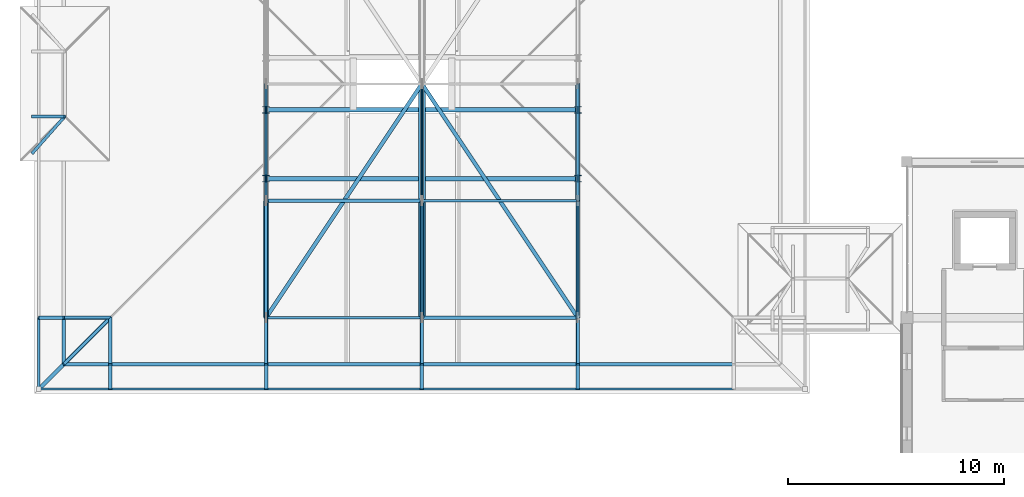
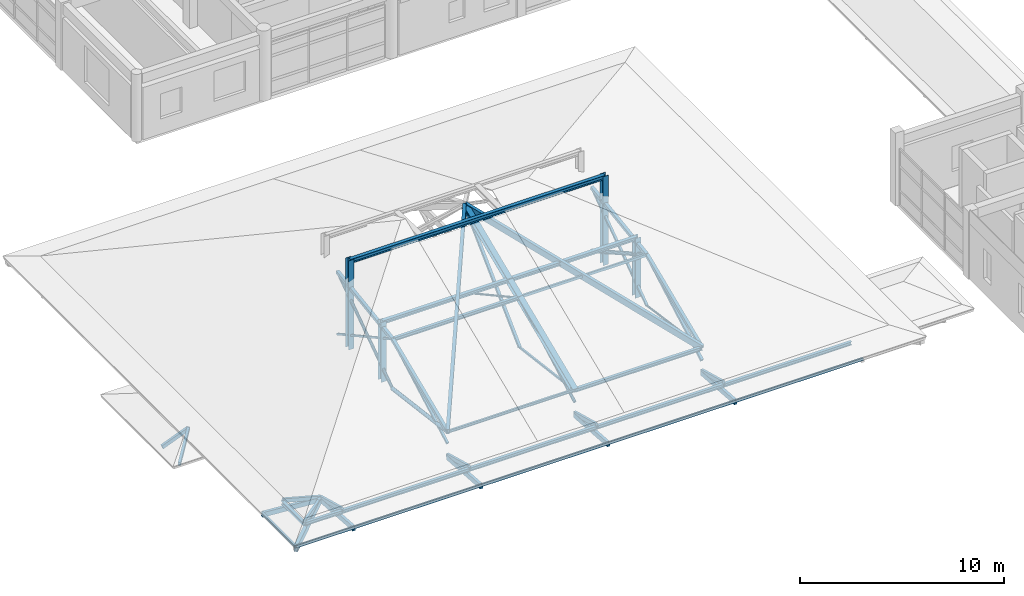
# One storey, part 5 of 110: 54 members, 2 beams.
"""IFC4 building model written with IfcOpenShell, lengths in metres."""

from ifc_helpers import new_model, si_unit, direction, frame, origin, origin_2d, place, context, subcontext, project, spatial, rectangle, hollow_rectangle, hollow_circle, i_section, extrude, material, material_profile, profile_set, type_object, element, save


model = new_model("IFC4")

# Units and contexts
model_context = context("Model", 3, precision=1e-05, world=origin(), true_north=direction((0.0, 1.0)))
body_context = subcontext(model_context, "Body", "Model", "MODEL_VIEW")
ifc_project = project(units=[si_unit("LENGTHUNIT", "METRE"), si_unit("AREAUNIT", "SQUARE_METRE"), si_unit("VOLUMEUNIT", "CUBIC_METRE"), si_unit("PLANEANGLEUNIT", "RADIAN"), si_unit("MASSUNIT", "GRAM", prefix="KILO")], contexts=[model_context])

# Site, building, storey
site_placement = place(None, origin())
site = spatial("IfcSite", under=ifc_project, at=site_placement, CompositionType="ELEMENT")
building_placement = place(site_placement, origin())
building = spatial("IfcBuilding", under=site, at=building_placement, Name="Steenspoor Specialist Clinic", CompositionType="ELEMENT")
storey_placement = place(building_placement, frame((0.0, 0.0, 4.800048828125)))
storey = spatial("IfcBuildingStorey", under=building, at=storey_placement, Name="L01", CompositionType="ELEMENT", Elevation=4.800048828125)

# Beams
ifc_material_1 = material(Name="Steel A992 Grade 50", Category="steel")
ifc_material_profile_1 = material_profile(ifc_material_1, i_section(OverallWidth=0.2041015625, OverallDepth=0.2060546875, WebThickness=0.0078125, FlangeThickness=0.0126953125, at=origin_2d()), Name="W200X52")
ifc_profile_set_1 = profile_set([ifc_material_profile_1], Name="Steel A992 Grade 50")
beam_type_1 = type_object("IfcBeamType", Name="BM-ST-W200X52", PredefinedType="JOIST", material=ifc_profile_set_1)
beam_1_placement = place(storey_placement, frame((15.60009765625, 41.075927734375, 3.683837890625), z_axis=(1.0, 0.0, 0.0), x_axis=(0.0, 1.0, 0.0)))
element("IfcBeam", 1, at=beam_1_placement, inside=storey, type_object=beam_type_1, Name="Roof Sub-Facet Bearer V3 M S", PredefinedType="JOIST", context=body_context, shape_type="SweptSolid", body=[
    extrude(i_section(OverallWidth=0.2041015625, OverallDepth=0.2060546875, WebThickness=0.0078125, FlangeThickness=0.0126953125, at=origin_2d()), origin(), (0.0, 0.0, 1.0), 14.39990234375),
])
ifc_material_profile_2 = material_profile(ifc_material_1, i_section(OverallWidth=0.202880859375, OverallDepth=0.251953125, WebThickness=0.008056640625, FlangeThickness=0.013427734375, at=origin_2d()), Name="W250X58")
ifc_profile_set_2 = profile_set([ifc_material_profile_2], Name="Steel A992 Grade 50")
beam_type_2 = type_object("IfcBeamType", Name="BM-ST-W250X58", PredefinedType="JOIST", material=ifc_profile_set_2)
beam_2_placement = place(storey_placement, frame((15.60009765625, 44.25, 5.4140625), z_axis=(1.0, 0.0, 0.0), x_axis=(0.0, 1.0, 0.0)))
element("IfcBeam", 2, at=beam_2_placement, inside=storey, type_object=beam_type_2, Name="Roof Curb Trimmer Beam V3 1", PredefinedType="JOIST", context=body_context, shape_type="SweptSolid", body=[
    extrude(i_section(OverallWidth=0.202880859375, OverallDepth=0.251953125, WebThickness=0.008056640625, FlangeThickness=0.013427734375, at=origin_2d()), origin(), (0.0, 0.0, 1.0), 14.39990234375),
])

# Members
ifc_material_2 = material(Name="Steel A500 Grade C", Category="steel")
ifc_material_profile_3 = material_profile(ifc_material_2, hollow_circle(Radius=0.084228515625, WallThickness=0.007080078125, at=origin_2d()), Name="CHS168X7.1")
ifc_profile_set_3 = profile_set([ifc_material_profile_3], Name="Steel A500 Grade C")
member_type_1 = type_object("IfcMemberType", Name="MEM-BRACE-CHS168", PredefinedType="BRACE", material=ifc_profile_set_3)
member_1_placement = place(storey_placement, frame((15.60009765625, 40.050048828125, 0.300048828125), z_axis=(0.0, 0.822687322602, 0.568494124182), x_axis=(-1.0, 0.0, 0.0)))
element("IfcMember", 3, at=member_1_placement, inside=storey, type_object=member_type_1, Name="ROOF TRUSS Web Brace V3 2.2", PredefinedType="BRACE", context=body_context, shape_type="SweptSolid", body=[
    extrude(hollow_circle(Radius=0.084228515625, WallThickness=0.007080078125, at=origin_2d()), origin(), (0.0, 0.0, 1.0), 6.563720703125),
])
member_2_placement = place(storey_placement, frame((22.800048828125, 34.64990234375, 0.25146484375), z_axis=(0.0, 0.876858770797, 0.480748058839), x_axis=(-1.0, 0.0, 0.0)))
element("IfcMember", 4, at=member_2_placement, inside=storey, type_object=member_type_1, Name="ROOF TRUSS Web Brace V3 3.1", PredefinedType="BRACE", context=body_context, shape_type="SweptSolid", body=[
    extrude(hollow_circle(Radius=0.084228515625, WallThickness=0.007080078125, at=origin_2d()), origin(), (0.0, 0.0, 1.0), 6.158447265625),
])
ifc_material_profile_4 = material_profile(ifc_material_2, hollow_rectangle(XDim=0.126953125, YDim=0.126953125, WallThickness=0.0087890625, at=origin_2d()), Name="HSS127X127X9.5")
ifc_profile_set_4 = profile_set([ifc_material_profile_4], Name="Steel A500 Grade C")
member_type_2 = type_object("IfcMemberType", Name="MEM-BRACE-H127A", PredefinedType="BRACE", material=ifc_profile_set_4)
member_3_placement = place(storey_placement, frame((30.0, 40.050048828125, 0.228515625), z_axis=(0.0, 0.81758921785, 0.575801937176), x_axis=(-1.0, 0.0, 0.0)))
element("IfcMember", 5, at=member_3_placement, inside=storey, type_object=member_type_2, Name="ROOF TRUSS Web Brace V3 4.2", PredefinedType="BRACE", context=body_context, shape_type="SweptSolid", body=[
    extrude(hollow_rectangle(XDim=0.126953125, YDim=0.126953125, WallThickness=0.0087890625, at=origin_2d()), origin(), (0.0, 0.0, 1.0), 6.604736328125),
])
ifc_material_profile_5 = material_profile(ifc_material_2, hollow_rectangle(XDim=0.126953125, YDim=0.126953125, WallThickness=0.005859375, at=origin_2d()), Name="HSS127X127X6.4")
ifc_profile_set_5 = profile_set([ifc_material_profile_5], Name="Steel A500 Grade C")
member_type_3 = type_object("IfcMemberType", Name="MEM-BRACE-H127B", PredefinedType="BRACE", material=ifc_profile_set_5)
member_4_placement = place(storey_placement, frame((15.60009765625, 34.64990234375, 0.300048828125), z_axis=(0.0, 0.876089604304, 0.482148322853), x_axis=(-1.0, 0.0, 0.0)))
element("IfcMember", 6, at=member_4_placement, inside=storey, type_object=member_type_3, Name="ROOF TRUSS Web Brace V3 2.1", PredefinedType="BRACE", context=body_context, shape_type="SweptSolid", body=[
    extrude(hollow_rectangle(XDim=0.126953125, YDim=0.126953125, WallThickness=0.005859375, at=origin_2d()), origin(), (0.0, 0.0, 1.0), 6.163818359375),
])
ifc_material_profile_6 = material_profile(ifc_material_2, hollow_rectangle(XDim=0.15234375, YDim=0.15234375, WallThickness=0.0087890625, at=origin_2d()), Name="HSS152X152X9.5")
ifc_profile_set_6 = profile_set([ifc_material_profile_6], Name="Steel A500 Grade C")
member_type_4 = type_object("IfcMemberType", Name="MEM-BRACE-H152", PredefinedType="BRACE", material=ifc_profile_set_6)
member_5_placement = place(storey_placement, frame((22.800048828125, 40.050048828125, 0.25146484375), z_axis=(0.0, 0.717734267134, 0.696317112947), x_axis=(-1.0, 0.0, 0.0)))
element("IfcMember", 7, at=member_5_placement, inside=storey, type_object=member_type_4, Name="ROOF TRUSS Web Brace V3 3.2", PredefinedType="BRACE", context=body_context, shape_type="SweptSolid", body=[
    extrude(hollow_rectangle(XDim=0.15234375, YDim=0.15234375, WallThickness=0.0087890625, at=origin_2d()), origin(), (0.0, 0.0, 1.0), 7.5234375),
])
member_6_placement = place(storey_placement, frame((30.0, 34.64990234375, 0.228515625), z_axis=(0.0, 0.871170280936, 0.490980999238), x_axis=(-1.0, 0.0, 0.0)))
element("IfcMember", 8, at=member_6_placement, inside=storey, type_object=member_type_4, Name="ROOF TRUSS Web Brace V3 4.1", PredefinedType="BRACE", context=body_context, shape_type="SweptSolid", body=[
    extrude(hollow_rectangle(XDim=0.15234375, YDim=0.15234375, WallThickness=0.0087890625, at=origin_2d()), origin(), (0.0, 0.0, 1.0), 6.19873046875),
])
ifc_material_profile_7 = material_profile(ifc_material_2, hollow_rectangle(XDim=0.177734375, YDim=0.177734375, WallThickness=0.0087890625, at=origin_2d()), Name="HSS178X178X9.5")
ifc_profile_set_7 = profile_set([ifc_material_profile_7], Name="Steel A500 Grade C")
member_type_5 = type_object("IfcMemberType", Name="MEM-CHORD-H178", PredefinedType="CHORD", material=ifc_profile_set_7)
member_7_placement = place(storey_placement, frame((15.60009765625, 34.64990234375, 0.993896484375), z_axis=(0.0, 0.921370920613, 0.38868448213), x_axis=(-1.0, 0.0, 0.0)))
element("IfcMember", 9, at=member_7_placement, inside=storey, type_object=member_type_5, Name="ROOF TRUSS Top Chord V3 2.1", PredefinedType="CHORD", context=body_context, shape_type="SweptSolid", body=[
    extrude(hollow_rectangle(XDim=0.177734375, YDim=0.177734375, WallThickness=0.0087890625, at=origin_2d()), origin(), (0.0, 0.0, 1.0), 5.861083984375),
])
member_8_placement = place(storey_placement, frame((15.60009765625, 40.050048828125, 3.27197265625), z_axis=(0.0, 0.990252526811, 0.139283642775), x_axis=(-1.0, 0.0, 0.0)))
element("IfcMember", 10, at=member_8_placement, inside=storey, type_object=member_type_5, Name="ROOF TRUSS Top Chord V3 2.2", PredefinedType="CHORD", context=body_context, shape_type="SweptSolid", body=[
    extrude(hollow_rectangle(XDim=0.177734375, YDim=0.177734375, WallThickness=0.0087890625, at=origin_2d()), origin(), (0.0, 0.0, 1.0), 5.453125),
])
member_9_placement = place(storey_placement, frame((30.0, 34.64990234375, 0.993896484375), z_axis=(0.0, 0.921370920613, 0.38868448213), x_axis=(-1.0, 0.0, 0.0)))
element("IfcMember", 11, at=member_9_placement, inside=storey, type_object=member_type_5, Name="ROOF TRUSS Top Chord V3 4.1", PredefinedType="CHORD", context=body_context, shape_type="SweptSolid", body=[
    extrude(hollow_rectangle(XDim=0.177734375, YDim=0.177734375, WallThickness=0.0087890625, at=origin_2d()), origin(), (0.0, 0.0, 1.0), 5.861083984375),
])
member_10_placement = place(storey_placement, frame((30.0, 40.050048828125, 3.27197265625), z_axis=(0.0, 0.990252526811, 0.139283642775), x_axis=(-1.0, 0.0, 0.0)))
element("IfcMember", 12, at=member_10_placement, inside=storey, type_object=member_type_5, Name="ROOF TRUSS Top Chord V3 4.2", PredefinedType="CHORD", context=body_context, shape_type="SweptSolid", body=[
    extrude(hollow_rectangle(XDim=0.177734375, YDim=0.177734375, WallThickness=0.0087890625, at=origin_2d()), origin(), (0.0, 0.0, 1.0), 5.453125),
])
ifc_material_profile_8 = material_profile(ifc_material_1, i_section(OverallWidth=0.304931640625, OverallDepth=0.30810546875, WebThickness=0.010009765625, FlangeThickness=0.015380859375, at=origin_2d()), Name="W310X97")
ifc_profile_set_8 = profile_set([ifc_material_profile_8], Name="Steel A992 Grade 50")
member_type_6 = type_object("IfcMemberType", Name="MEM-CHORD-W310", PredefinedType="CHORD", material=ifc_profile_set_8)
member_11_placement = place(storey_placement, frame((22.800048828125, 34.64990234375, 0.933837890625), z_axis=(0.0, 0.921356002515, 0.388719843369), x_axis=(-1.0, 0.0, 0.0)))
element("IfcMember", 13, at=member_11_placement, inside=storey, type_object=member_type_6, Name="ROOF TRUSS Top Chord V3 3.1", PredefinedType="CHORD", context=body_context, shape_type="SweptSolid", body=[
    extrude(i_section(OverallWidth=0.304931640625, OverallDepth=0.30810546875, WebThickness=0.010009765625, FlangeThickness=0.015380859375, at=origin_2d()), origin(), (0.0, 0.0, 1.0), 5.861083984375),
])
member_12_placement = place(storey_placement, frame((22.800048828125, 40.050048828125, 3.212158203125), z_axis=(0.0, 0.921364627168, 0.388699400312), x_axis=(-1.0, 0.0, 0.0)))
element("IfcMember", 14, at=member_12_placement, inside=storey, type_object=member_type_6, Name="ROOF TRUSS Top Chord V3 3.2", PredefinedType="CHORD", context=body_context, shape_type="SweptSolid", body=[
    extrude(i_section(OverallWidth=0.304931640625, OverallDepth=0.30810546875, WebThickness=0.010009765625, FlangeThickness=0.015380859375, at=origin_2d()), origin(), (0.0, 0.0, 1.0), 5.86083984375),
])
for number, where, z_axis, x_axis, name in (
    (15, (15.60009765625, 44.25, 0.199951171875), (0.0, 0.0, 1.0), (1.0, 0.0, 0.0), "ROOF TRUSS Web Post Curb V3 1L"),
    (16, (30.0, 44.25, 0.199951171875), (0.0, 0.0, 1.0), (1.0, 0.0, 0.0), "ROOF TRUSS Web Post Curb V3 1R"),
):
    element("IfcMember", number, at=place(storey_placement, frame(where, z_axis=z_axis, x_axis=x_axis)), inside=storey, type_object=member_type_6, Name=name, PredefinedType="CHORD", context=body_context, shape_type="SweptSolid", body=[
        extrude(i_section(OverallWidth=0.304931640625, OverallDepth=0.30810546875, WebThickness=0.010009765625, FlangeThickness=0.015380859375, at=origin_2d()), origin(), (0.0, 0.0, 1.0), 5.333984375),
    ])
for number, where, z_axis, x_axis, name in (
    (17, (15.60009765625, 41.075927734375, 0.179931640625), (0.0, 0.0, 1.0), (1.0, 0.0, 0.0), "ROOF TRUSS Web Post Sub-Facet V3 MSL"),
    (18, (30.0, 41.075927734375, 0.179931640625), (0.0, 0.0, 1.0), (1.0, 0.0, 0.0), "ROOF TRUSS Web Post Sub-Facet V3 MSR"),
):
    element("IfcMember", number, at=place(storey_placement, frame(where, z_axis=z_axis, x_axis=x_axis)), inside=storey, type_object=member_type_6, Name=name, PredefinedType="CHORD", context=body_context, shape_type="SweptSolid", body=[
        extrude(i_section(OverallWidth=0.304931640625, OverallDepth=0.30810546875, WebThickness=0.010009765625, FlangeThickness=0.015380859375, at=origin_2d()), origin(), (0.0, 0.0, 1.0), 3.583984375),
    ])
ifc_material_profile_9 = material_profile(ifc_material_2, hollow_rectangle(XDim=0.1015625, YDim=0.15234375, WallThickness=0.005859375, at=origin_2d()), Name="HSS152X102X6.4")
ifc_profile_set_9 = profile_set([ifc_material_profile_9], Name="Steel A500 Grade C")
member_type_7 = type_object("IfcMemberType", Name="MEM-PURLIN-H152", PredefinedType="PURLIN", material=ifc_profile_set_9)
member_13_placement = place(storey_placement, frame((5.10009765625, 31.35009765625, -0.195068359375), z_axis=(1.0, 0.0, 0.0), x_axis=(0.0, 1.0, 0.0)))
element("IfcMember", 19, at=member_13_placement, inside=storey, type_object=member_type_7, Name="ROOF TRUSS Eave Fascia 145", PredefinedType="PURLIN", context=body_context, shape_type="SweptSolid", body=[
    extrude(hollow_rectangle(XDim=0.1015625, YDim=0.15234375, WallThickness=0.005859375, at=origin_2d()), origin(), (0.0, 0.0, 1.0), 3.2998046875),
])
member_14_placement = place(storey_placement, frame((8.39990234375, 31.35009765625, -0.195068359375), z_axis=(1.0, 0.0, 0.0), x_axis=(0.0, 1.0, 0.0)))
element("IfcMember", 20, at=member_14_placement, inside=storey, type_object=member_type_7, Name="ROOF TRUSS Eave Fascia 146", PredefinedType="PURLIN", context=body_context, shape_type="SweptSolid", body=[
    extrude(hollow_rectangle(XDim=0.1015625, YDim=0.15234375, WallThickness=0.005859375, at=origin_2d()), origin(), (0.0, 0.0, 1.0), 7.2001953125),
])
for number, where, z_axis, x_axis, name in (
    (21, (15.60009765625, 31.35009765625, -0.195068359375), (1.0, 0.0, 0.0), (0.0, 1.0, 0.0), "ROOF TRUSS Eave Fascia 147"),
    (22, (22.800048828125, 31.35009765625, -0.195068359375), (1.0, 0.0, 0.0), (0.0, 1.0, 0.0), "ROOF TRUSS Eave Fascia 148"),
    (23, (30.0, 31.35009765625, -0.195068359375), (1.0, 0.0, 0.0), (0.0, 1.0, 0.0), "ROOF TRUSS Eave Fascia 149"),
):
    element("IfcMember", number, at=place(storey_placement, frame(where, z_axis=z_axis, x_axis=x_axis)), inside=storey, type_object=member_type_7, Name=name, PredefinedType="PURLIN", context=body_context, shape_type="SweptSolid", body=[
        extrude(hollow_rectangle(XDim=0.1015625, YDim=0.15234375, WallThickness=0.005859375, at=origin_2d()), origin(), (0.0, 0.0, 1.0), 7.199951171875),
    ])
member_15_placement = place(storey_placement, frame((5.10009765625, 31.35009765625, -0.195068359375), z_axis=(0.0, 1.0, 0.0), x_axis=(-1.0, 0.0, 0.0)))
element("IfcMember", 24, at=member_15_placement, inside=storey, type_object=member_type_7, Name="ROOF TRUSS Eave Fascia 157", PredefinedType="PURLIN", context=body_context, shape_type="SweptSolid", body=[
    extrude(hollow_rectangle(XDim=0.1015625, YDim=0.15234375, WallThickness=0.005859375, at=origin_2d()), origin(), (0.0, 0.0, 1.0), 3.2998046875),
])
member_16_placement = place(storey_placement, frame((22.800048828125, 40.050048828125, 3.27783203125), z_axis=(1.0, 0.0, 0.0), x_axis=(0.0, 1.0, 0.0)))
element("IfcMember", 25, at=member_16_placement, inside=storey, type_object=member_type_7, Name="ROOF TRUSS Purlin 187", PredefinedType="PURLIN", context=body_context, shape_type="SweptSolid", body=[
    extrude(hollow_rectangle(XDim=0.1015625, YDim=0.15234375, WallThickness=0.005859375, at=origin_2d()), origin(), (0.0, 0.0, 1.0), 7.199951171875),
])
ifc_material_profile_10 = material_profile(ifc_material_1, i_section(OverallWidth=0.10205078125, OverallDepth=0.159912109375, WebThickness=0.006591796875, FlangeThickness=0.01025390625, at=origin_2d()), Name="W150X24")
ifc_profile_set_10 = profile_set([ifc_material_profile_10], Name="Steel A992 Grade 50")
member_type_8 = type_object("IfcMemberType", Name="MEM-PURLIN-W150", PredefinedType="PURLIN", material=ifc_profile_set_10)
member_17_placement = place(storey_placement, frame((15.60009765625, 34.64990234375, 0.995849609375), z_axis=(1.0, 0.0, 0.0), x_axis=(0.0, 1.0, 0.0)))
element("IfcMember", 26, at=member_17_placement, inside=storey, type_object=member_type_8, Name="ROOF TRUSS Purlin 181", PredefinedType="PURLIN", context=body_context, shape_type="SweptSolid", body=[
    extrude(i_section(OverallWidth=0.10205078125, OverallDepth=0.159912109375, WebThickness=0.006591796875, FlangeThickness=0.01025390625, at=origin_2d()), origin(), (0.0, 0.0, 1.0), 7.199951171875),
])
ifc_material_profile_11 = material_profile(ifc_material_1, i_section(OverallWidth=0.1650390625, OverallDepth=0.200927734375, WebThickness=0.006103515625, FlangeThickness=0.01025390625, at=origin_2d()), Name="W200X36")
ifc_profile_set_11 = profile_set([ifc_material_profile_11], Name="Steel A992 Grade 50")
member_type_9 = type_object("IfcMemberType", Name="MEM-PURLIN-W200", PredefinedType="PURLIN", material=ifc_profile_set_11)
member_18_placement = place(storey_placement, frame((6.25, 32.5, 0.0703125), z_axis=(1.0, 0.0, 0.0), x_axis=(0.0, 1.0, 0.0)))
element("IfcMember", 27, at=member_18_placement, inside=storey, type_object=member_type_9, Name="ROOF TRUSS Knuckle Purlin 163", PredefinedType="PURLIN", context=body_context, shape_type="SweptSolid", body=[
    extrude(i_section(OverallWidth=0.1650390625, OverallDepth=0.200927734375, WebThickness=0.006103515625, FlangeThickness=0.01025390625, at=origin_2d()), origin(), (0.0, 0.0, 1.0), 2.14990234375),
])
member_19_placement = place(storey_placement, frame((8.39990234375, 32.5, 0.0703125), z_axis=(1.0, 0.0, 0.0), x_axis=(0.0, 1.0, 0.0)))
element("IfcMember", 28, at=member_19_placement, inside=storey, type_object=member_type_9, Name="ROOF TRUSS Knuckle Purlin 165", PredefinedType="PURLIN", context=body_context, shape_type="SweptSolid", body=[
    extrude(i_section(OverallWidth=0.1650390625, OverallDepth=0.200927734375, WebThickness=0.006103515625, FlangeThickness=0.01025390625, at=origin_2d()), origin(), (0.0, 0.0, 1.0), 7.2001953125),
])
for number, where, z_axis, x_axis, name in (
    (29, (15.60009765625, 32.5, 0.0703125), (1.0, 0.0, 0.0), (0.0, 1.0, 0.0), "ROOF TRUSS Knuckle Purlin 167"),
    (30, (22.800048828125, 32.5, 0.0703125), (1.0, 0.0, 0.0), (0.0, 1.0, 0.0), "ROOF TRUSS Knuckle Purlin 169"),
    (31, (30.0, 32.5, 0.0703125), (1.0, 0.0, 0.0), (0.0, 1.0, 0.0), "ROOF TRUSS Knuckle Purlin 171"),
):
    element("IfcMember", number, at=place(storey_placement, frame(where, z_axis=z_axis, x_axis=x_axis)), inside=storey, type_object=member_type_9, Name=name, PredefinedType="PURLIN", context=body_context, shape_type="SweptSolid", body=[
        extrude(i_section(OverallWidth=0.1650390625, OverallDepth=0.200927734375, WebThickness=0.006103515625, FlangeThickness=0.01025390625, at=origin_2d()), origin(), (0.0, 0.0, 1.0), 7.199951171875),
    ])
member_20_placement = place(storey_placement, frame((6.25, 32.5, 0.0703125), z_axis=(0.0, 1.0, 0.0), x_axis=(-1.0, 0.0, 0.0)))
element("IfcMember", 32, at=member_20_placement, inside=storey, type_object=member_type_9, Name="ROOF TRUSS Knuckle Purlin 175", PredefinedType="PURLIN", context=body_context, shape_type="SweptSolid", body=[
    extrude(i_section(OverallWidth=0.1650390625, OverallDepth=0.200927734375, WebThickness=0.006103515625, FlangeThickness=0.01025390625, at=origin_2d()), origin(), (0.0, 0.0, 1.0), 2.14990234375),
])
for number, where, z_axis, x_axis, name in (
    (33, (15.60009765625, 40.050048828125, 3.25341796875), (1.0, 0.0, 0.0), (0.0, 1.0, 0.0), "ROOF TRUSS Purlin 182"),
    (34, (22.800048828125, 34.64990234375, 0.975341796875), (1.0, 0.0, 0.0), (0.0, 1.0, 0.0), "ROOF TRUSS Purlin 186"),
):
    element("IfcMember", number, at=place(storey_placement, frame(where, z_axis=z_axis, x_axis=x_axis)), inside=storey, type_object=member_type_9, Name=name, PredefinedType="PURLIN", context=body_context, shape_type="SweptSolid", body=[
        extrude(i_section(OverallWidth=0.1650390625, OverallDepth=0.200927734375, WebThickness=0.006103515625, FlangeThickness=0.01025390625, at=origin_2d()), origin(), (0.0, 0.0, 1.0), 7.199951171875),
    ])
ifc_material_3 = material(Name="Glulam GL28h", Category="wood")
ifc_material_profile_12 = material_profile(ifc_material_3, rectangle(XDim=0.139892578125, YDim=0.219970703125, at=origin_2d()), Name="GL28H-140X220")
ifc_profile_set_12 = profile_set([ifc_material_profile_12], Name="Glulam GL28h")
member_type_10 = type_object("IfcMemberType", Name="MEM-RAFTER-GL220", PredefinedType="RAFTER", material=ifc_profile_set_12)
for number, where, z_axis, x_axis, name in (
    (35, (8.39990234375, 34.64990234375, -0.40283203125), (0.0, -0.965556448109, 0.260193669244), (1.0, 0.0, 0.0), "ROOF TRUSS Knuckle Rafter V3 80"),
    (36, (15.60009765625, 34.64990234375, -0.40283203125), (0.0, -0.965556448109, 0.260193669244), (1.0, 0.0, 0.0), "ROOF TRUSS Knuckle Rafter V3 84"),
    (37, (22.800048828125, 34.64990234375, -0.40283203125), (0.0, -0.965556448109, 0.260193669244), (1.0, 0.0, 0.0), "ROOF TRUSS Knuckle Rafter V3 88"),
    (38, (30.0, 34.64990234375, -0.40283203125), (0.0, -0.965556448109, 0.260193669244), (1.0, 0.0, 0.0), "ROOF TRUSS Knuckle Rafter V3 92"),
    (39, (8.39990234375, 34.64990234375, -0.40283203125), (-0.965556448109, 0.0, 0.260193669244), (0.0, -1.0, 0.0), "ROOF TRUSS Knuckle Rafter V3 100"),
):
    element("IfcMember", number, at=place(storey_placement, frame(where, z_axis=z_axis, x_axis=x_axis)), inside=storey, type_object=member_type_10, Name=name, PredefinedType="RAFTER", context=body_context, shape_type="SweptSolid", body=[
        extrude(rectangle(XDim=0.139892578125, YDim=0.219970703125, at=origin_2d()), origin(), (0.0, 0.0, 1.0), 2.2265625),
    ])
member_21_placement = place(storey_placement, frame((8.39990234375, 34.64990234375, -0.5), z_axis=(-0.690226902148, -0.690226902148, 0.217194951834), x_axis=(0.707106781187, -0.707106781187, 0.0)))
element("IfcMember", 40, at=member_21_placement, inside=storey, type_object=member_type_10, Name="ROOF TRUSS Corner Knuckle Rafter V3 108", PredefinedType="RAFTER", context=body_context, shape_type="SweptSolid", body=[
    extrude(rectangle(XDim=0.139892578125, YDim=0.219970703125, at=origin_2d()), origin(), (0.0, 0.0, 1.0), 3.11474609375),
])
member_22_placement = place(storey_placement, frame((4.800048828125, 43.949951171875, -1.76513671875), z_axis=(0.92892437711, 0.0, 0.370269498623), x_axis=(0.0, 1.0, 0.0)))
element("IfcMember", 41, at=member_22_placement, inside=storey, type_object=member_type_10, Name="Walkway Rafter PORCH-WEST", PredefinedType="RAFTER", context=body_context, shape_type="SweptSolid", body=[
    extrude(rectangle(XDim=0.139892578125, YDim=0.219970703125, at=origin_2d()), origin(), (0.0, 0.0, 1.0), 1.61474609375),
])
member_23_placement = place(storey_placement, frame((4.800048828125, 42.25, -1.76513671875), z_axis=(0.63975810249, 0.725038357363, 0.255007746256), x_axis=(-0.74982842739, 0.661632321971, 0.0)))
element("IfcMember", 42, at=member_23_placement, inside=storey, type_object=member_type_10, Name="Walkway Hip Rafter PORCH-WEST", PredefinedType="RAFTER", context=body_context, shape_type="SweptSolid", body=[
    extrude(rectangle(XDim=0.139892578125, YDim=0.219970703125, at=origin_2d()), origin(), (0.0, 0.0, 1.0), 2.3447265625),
])
ifc_material_profile_13 = material_profile(ifc_material_3, rectangle(XDim=0.159912109375, YDim=0.280029296875, at=origin_2d()), Name="GL28H-160X280")
ifc_profile_set_13 = profile_set([ifc_material_profile_13], Name="Glulam GL28h")
member_type_11 = type_object("IfcMemberType", Name="MEM-RAFTER-GL280", PredefinedType="RAFTER", material=ifc_profile_set_13)
for number, where, z_axis, x_axis, name in (
    (43, (8.39990234375, 34.64990234375, -0.5), (0.0, -0.997518288162, 0.070407846027), (1.0, 0.0, 0.0), "ROOF TRUSS Flared Eave Glulam Outrigger V3 79"),
    (44, (15.60009765625, 34.64990234375, -0.5), (0.0, -0.997518288162, 0.070407846027), (1.0, 0.0, 0.0), "ROOF TRUSS Flared Eave Glulam Outrigger V3 83"),
    (45, (22.800048828125, 34.64990234375, -0.5), (0.0, -0.997518288162, 0.070407846027), (1.0, 0.0, 0.0), "ROOF TRUSS Flared Eave Glulam Outrigger V3 87"),
    (46, (30.0, 34.64990234375, -0.5), (0.0, -0.997518288162, 0.070407846027), (1.0, 0.0, 0.0), "ROOF TRUSS Flared Eave Glulam Outrigger V3 91"),
    (47, (8.39990234375, 34.64990234375, -0.5), (-0.997518288162, 0.0, 0.070407846027), (0.0, -1.0, 0.0), "ROOF TRUSS Flared Eave Glulam Outrigger V3 99"),
):
    element("IfcMember", number, at=place(storey_placement, frame(where, z_axis=z_axis, x_axis=x_axis)), inside=storey, type_object=member_type_11, Name=name, PredefinedType="RAFTER", context=body_context, shape_type="SweptSolid", body=[
        extrude(rectangle(XDim=0.159912109375, YDim=0.280029296875, at=origin_2d()), origin(), (0.0, 0.0, 1.0), 3.30810546875),
    ])
ifc_material_profile_14 = material_profile(ifc_material_3, rectangle(XDim=0.179931640625, YDim=0.360107421875, at=origin_2d()), Name="GL28H-180X360")
ifc_profile_set_14 = profile_set([ifc_material_profile_14], Name="Glulam GL28h")
member_type_12 = type_object("IfcMemberType", Name="MEM-RAFTER-GL360", PredefinedType="RAFTER", material=ifc_profile_set_14)
member_24_placement = place(storey_placement, frame((8.39990234375, 34.64990234375, -0.5), z_axis=(-0.706511230101, -0.706511230101, 0.041033687158), x_axis=(0.707106781187, -0.707106781187, 0.0)))
element("IfcMember", 48, at=member_24_placement, inside=storey, type_object=member_type_12, Name="ROOF TRUSS Corner Hip Outrigger V3 107", PredefinedType="RAFTER", context=body_context, shape_type="SweptSolid", body=[
    extrude(rectangle(XDim=0.179931640625, YDim=0.360107421875, at=origin_2d()), origin(), (0.0, 0.0, 1.0), 4.670654296875),
])
for number, where, z_axis, x_axis, name in (
    (49, (15.60009765625, 34.64990234375, 0.993896484375), (0.524139133235, 0.786217586278, 0.327322587121), (-0.832053188017, 0.554695855682, 0.0), "ROOF TRUSS Hip Rafter V3 191"),
    (50, (30.0, 34.64990234375, 0.993896484375), (-0.524139133235, 0.786217586278, 0.327322587121), (-0.832053188017, -0.554695855682, 0.0), "ROOF TRUSS Hip Rafter V3 193"),
):
    element("IfcMember", number, at=place(storey_placement, frame(where, z_axis=z_axis, x_axis=x_axis)), inside=storey, type_object=member_type_12, Name=name, PredefinedType="RAFTER", context=body_context, shape_type="SweptSolid", body=[
        extrude(rectangle(XDim=0.179931640625, YDim=0.360107421875, at=origin_2d()), origin(), (0.0, 0.0, 1.0), 13.73681640625),
    ])
ifc_material_profile_15 = material_profile(ifc_material_2, hollow_circle(Radius=0.05712890625, WallThickness=0.006103515625, at=origin_2d()), Name="CHS114X6.0")
ifc_profile_set_15 = profile_set([ifc_material_profile_15], Name="Steel A500 Grade C")
member_type_13 = type_object("IfcMemberType", Name="MEM-STRUT-CHS114", PredefinedType="STRUT", material=ifc_profile_set_15)
member_25_placement = place(storey_placement, frame((22.800048828125, 40.050048828125, 3.212158203125), z_axis=(0.0, 0.87684960813, -0.480764770675), x_axis=(-1.0, 0.0, 0.0)))
element("IfcMember", 51, at=member_25_placement, inside=storey, type_object=member_type_13, Name="ROOF TRUSS Web Strut V3 3.2", PredefinedType="STRUT", context=body_context, shape_type="SweptSolid", body=[
    extrude(hollow_circle(Radius=0.05712890625, WallThickness=0.006103515625, at=origin_2d()), origin(), (0.0, 0.0, 1.0), 6.158203125),
])
member_26_placement = place(storey_placement, frame((30.0, 34.64990234375, 0.993896484375), z_axis=(0.0, 0.990104667081, -0.140330852719), x_axis=(-1.0, 0.0, 0.0)))
element("IfcMember", 52, at=member_26_placement, inside=storey, type_object=member_type_13, Name="ROOF TRUSS Web Strut V3 4.1", PredefinedType="STRUT", context=body_context, shape_type="SweptSolid", body=[
    extrude(hollow_circle(Radius=0.05712890625, WallThickness=0.006103515625, at=origin_2d()), origin(), (0.0, 0.0, 1.0), 5.4541015625),
])
ifc_material_profile_16 = material_profile(ifc_material_2, hollow_circle(Radius=0.109619140625, WallThickness=0.00830078125, at=origin_2d()), Name="CHS219X8.2")
ifc_profile_set_16 = profile_set([ifc_material_profile_16], Name="Steel A500 Grade C")
member_type_14 = type_object("IfcMemberType", Name="MEM-STRUT-CHS219", PredefinedType="STRUT", material=ifc_profile_set_16)
member_27_placement = place(storey_placement, frame((15.60009765625, 34.64990234375, 0.993896484375), z_axis=(0.0, 0.991846385801, -0.127439189314), x_axis=(-1.0, 0.0, 0.0)))
element("IfcMember", 53, at=member_27_placement, inside=storey, type_object=member_type_14, Name="ROOF TRUSS Web Strut V3 2.1", PredefinedType="STRUT", context=body_context, shape_type="SweptSolid", body=[
    extrude(hollow_circle(Radius=0.109619140625, WallThickness=0.00830078125, at=origin_2d()), origin(), (0.0, 0.0, 1.0), 5.444580078125),
])
member_28_placement = place(storey_placement, frame((30.0, 40.050048828125, 3.27197265625), z_axis=(0.0, 0.871160786061, -0.490997846054), x_axis=(-1.0, 0.0, 0.0)))
element("IfcMember", 54, at=member_28_placement, inside=storey, type_object=member_type_14, Name="ROOF TRUSS Web Strut V3 4.2", PredefinedType="STRUT", context=body_context, shape_type="SweptSolid", body=[
    extrude(hollow_circle(Radius=0.109619140625, WallThickness=0.00830078125, at=origin_2d()), origin(), (0.0, 0.0, 1.0), 6.198486328125),
])
ifc_material_profile_17 = material_profile(ifc_material_2, hollow_rectangle(XDim=0.1015625, YDim=0.1015625, WallThickness=0.005859375, at=origin_2d()), Name="HSS102X102X6.4")
ifc_profile_set_17 = profile_set([ifc_material_profile_17], Name="Steel A500 Grade C")
member_type_15 = type_object("IfcMemberType", Name="MEM-STRUT-H102", PredefinedType="STRUT", material=ifc_profile_set_17)
member_29_placement = place(storey_placement, frame((15.60009765625, 40.050048828125, 3.27197265625), z_axis=(0.0, 0.876080396269, -0.482165053973), x_axis=(-1.0, 0.0, 0.0)))
element("IfcMember", 55, at=member_29_placement, inside=storey, type_object=member_type_15, Name="ROOF TRUSS Web Strut V3 2.2", PredefinedType="STRUT", context=body_context, shape_type="SweptSolid", body=[
    extrude(hollow_rectangle(XDim=0.1015625, YDim=0.1015625, WallThickness=0.005859375, at=origin_2d()), origin(), (0.0, 0.0, 1.0), 6.163818359375),
])
member_30_placement = place(storey_placement, frame((22.800048828125, 34.64990234375, 0.933837890625), z_axis=(0.0, 0.992110682493, -0.125365041709), x_axis=(-1.0, 0.0, 0.0)))
element("IfcMember", 56, at=member_30_placement, inside=storey, type_object=member_type_15, Name="ROOF TRUSS Web Strut V3 3.1", PredefinedType="STRUT", context=body_context, shape_type="SweptSolid", body=[
    extrude(hollow_rectangle(XDim=0.1015625, YDim=0.1015625, WallThickness=0.005859375, at=origin_2d()), origin(), (0.0, 0.0, 1.0), 5.443115234375),
])

save(model, "model.ifc")
